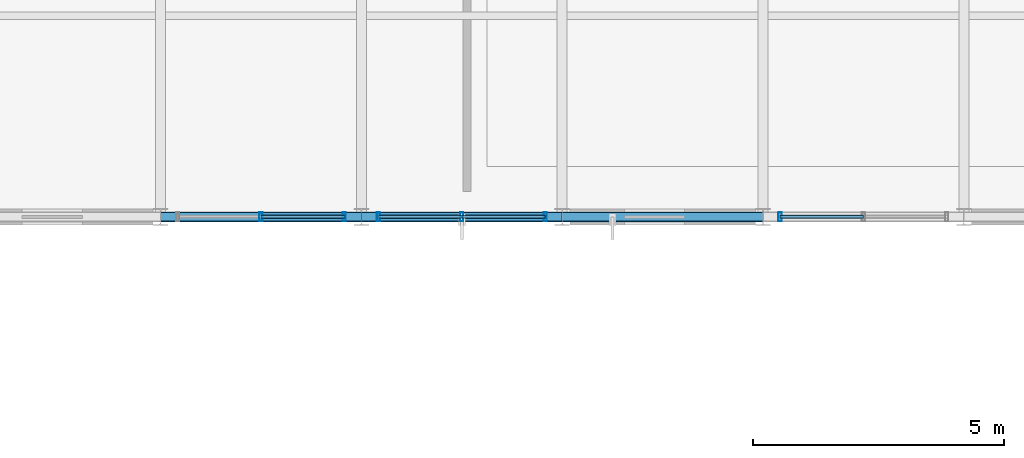
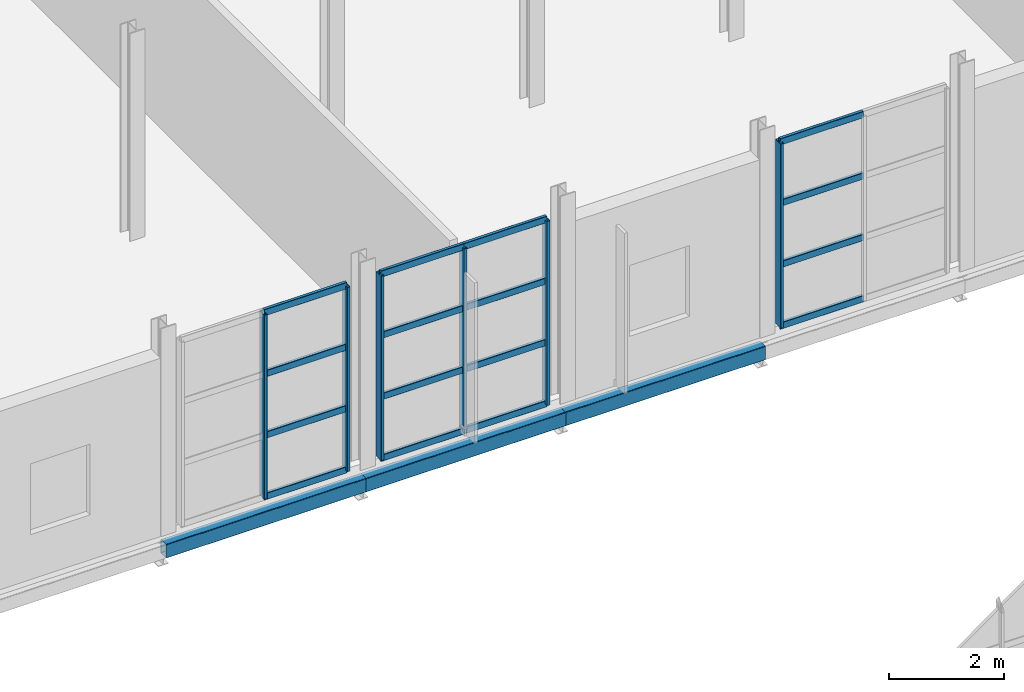
# One storey, part 113 of 153: 22 members, 3 beams, 3 elements without a shape of their own.
"""IFC4 building model written with IfcOpenShell, lengths in metres."""

from ifc_helpers import new_model, si_unit, derived_unit, direction, frame, origin, origin_2d, place, context, subcontext, project, spatial, hollow_rectangle, extrude, material, material_profile, profile_set, type_object, element, aggregate, save


model = new_model("IFC4")

# Units and contexts
model_context = context("Model", 3, precision=1e-05, world=origin(), true_north=direction((0.0, 1.0)))
body_context = subcontext(model_context, "Body", "Model", "MODEL_VIEW")
ifc_project = project(units=[si_unit("LENGTHUNIT", "METRE"), si_unit("AREAUNIT", "SQUARE_METRE"), si_unit("VOLUMEUNIT", "CUBIC_METRE"), si_unit("PLANEANGLEUNIT", "RADIAN"), si_unit("MASSUNIT", "GRAM", prefix="KILO"), derived_unit("THERMALTRANSMITTANCEUNIT", [(si_unit("POWERUNIT", "WATT"), 1), (si_unit("LENGTHUNIT", "METRE"), -2), (si_unit("THERMODYNAMICTEMPERATUREUNIT", "KELVIN"), -1)])], contexts=[model_context])

# Site, building, storey
site_placement = place(None, origin())
site = spatial("IfcSite", under=ifc_project, at=site_placement, CompositionType="ELEMENT")
building_placement = place(site_placement, origin())
building = spatial("IfcBuilding", under=site, at=building_placement, Name="Keldorne Ridge Multi-Sports Centre", CompositionType="ELEMENT")
storey_placement = place(building_placement, frame((0.0, 0.0, 9.60009765625)))
storey = spatial("IfcBuildingStorey", under=building, at=storey_placement, Name="L02", CompositionType="ELEMENT", Elevation=9.60009765625)

# Beams
ifc_material_1 = material(Name="Steel S355", Category="steel")
ifc_material_profile_1 = material_profile(ifc_material_1, hollow_rectangle(XDim=0.199951171875, YDim=0.300048828125, WallThickness=0.012451171875, InnerFilletRadius=0.012451171875, OuterFilletRadius=0.02490234375, at=origin_2d()), Name="RHS 300x200x12.5")
ifc_profile_set_1 = profile_set([ifc_material_profile_1], Name="Steel S355")
beam_type = type_object("IfcBeamType", Name="BM-SP-01", PredefinedType="SPANDREL", material=ifc_profile_set_1)
for number, where, z_axis, x_axis, name in (
    (1, (132.0, 66.0, -0.41015625), (1.0, 0.0, 0.0), (0.0, 1.0, 0.0), "L02 primary beam 6.66"),
    (2, (136.0, 66.0, -0.41015625), (1.0, 0.0, 0.0), (0.0, 1.0, 0.0), "L02 primary beam 7.66"),
    (3, (140.0, 66.0, -0.41015625), (1.0, 0.0, 0.0), (0.0, 1.0, 0.0), "L02 primary beam 8.66"),
):
    element("IfcBeam", number, at=place(storey_placement, frame(where, z_axis=z_axis, x_axis=x_axis)), inside=storey, type_object=beam_type, Name=name, PredefinedType="SPANDREL", context=body_context, shape_type="SweptSolid", body=[
        extrude(hollow_rectangle(XDim=0.199951171875, YDim=0.300048828125, WallThickness=0.012451171875, InnerFilletRadius=0.012451171875, OuterFilletRadius=0.02490234375, at=origin_2d()), origin(), (0.0, 0.0, 1.0), 4.0),
    ])

# Curtain wall, members
ifc_material_2 = material(Name="Anodized aluminium", Category="aluminium")
curtain_wall_type_1 = type_object("IfcCurtainWallType", Name="CW-CW-04", PredefinedType="NOTDEFINED", material=ifc_material_2)
curtain_wall_1_placement = place(storey_placement, origin())
curtain_wall_1 = element("IfcCurtainWall", 4, at=curtain_wall_1_placement, inside=storey, type_object=curtain_wall_type_1, Name="East Wing L02 south curtain wall 148", PredefinedType="NOTDEFINED")
ifc_material_profile_2 = material_profile(ifc_material_2, hollow_rectangle(XDim=0.06494140625, YDim=0.179931640625, WallThickness=0.00439453125, InnerFilletRadius=0.00439453125, OuterFilletRadius=0.009033203125, at=origin_2d()), Name="ALU MULLION 180x65x4.5")
ifc_profile_set_2 = profile_set([ifc_material_profile_2], Name="Anodized aluminium")
member_type_1 = type_object("IfcMemberType", Name="MEM-ML-01", PredefinedType="MULLION", material=ifc_profile_set_2)
member_1_placement = place(storey_placement, frame((134.0, 66.0, 0.0), z_axis=(0.0, 0.0, 1.0), x_axis=(1.0, 0.0, 0.0)))
member_1 = element("IfcMember", 5, at=member_1_placement, type_object=member_type_1, Name="CW-148 vertical mullion 2", PredefinedType="MULLION", context=body_context, shape_type="SweptSolid", body=[
    extrude(hollow_rectangle(XDim=0.06494140625, YDim=0.179931640625, WallThickness=0.00439453125, InnerFilletRadius=0.00439453125, OuterFilletRadius=0.009033203125, at=origin_2d()), origin(), (0.0, 0.0, 1.0), 3.89990234375),
])
member_2_placement = place(storey_placement, frame((135.659912109375, 66.0, 0.0), z_axis=(0.0, 0.0, 1.0), x_axis=(1.0, 0.0, 0.0)))
member_2 = element("IfcMember", 6, at=member_2_placement, type_object=member_type_1, Name="CW-148 vertical mullion 3", PredefinedType="MULLION", context=body_context, shape_type="SweptSolid", body=[
    extrude(hollow_rectangle(XDim=0.06494140625, YDim=0.179931640625, WallThickness=0.00439453125, InnerFilletRadius=0.00439453125, OuterFilletRadius=0.009033203125, at=origin_2d()), origin(), (0.0, 0.0, 1.0), 3.89990234375),
])

curtain_wall_type_2 = type_object("IfcCurtainWallType", Name="CW-CW-05", PredefinedType="NOTDEFINED", material=ifc_material_2)
curtain_wall_2_placement = place(storey_placement, origin())
curtain_wall_2 = element("IfcCurtainWall", 7, at=curtain_wall_2_placement, inside=storey, type_object=curtain_wall_type_2, Name="East Wing L02 south curtain wall 149", PredefinedType="NOTDEFINED")
member_3_placement = place(storey_placement, frame((136.340087890625, 66.0, 0.0), z_axis=(0.0, 0.0, 1.0), x_axis=(1.0, 0.0, 0.0)))
member_3 = element("IfcMember", 8, at=member_3_placement, type_object=member_type_1, Name="CW-149 vertical mullion 1", PredefinedType="MULLION", context=body_context, shape_type="SweptSolid", body=[
    extrude(hollow_rectangle(XDim=0.06494140625, YDim=0.179931640625, WallThickness=0.00439453125, InnerFilletRadius=0.00439453125, OuterFilletRadius=0.009033203125, at=origin_2d()), origin(), (0.0, 0.0, 1.0), 3.89990234375),
])
member_4_placement = place(storey_placement, frame((138.0, 66.0, 0.0), z_axis=(0.0, 0.0, 1.0), x_axis=(1.0, 0.0, 0.0)))
member_4 = element("IfcMember", 9, at=member_4_placement, type_object=member_type_1, Name="CW-149 vertical mullion 2", PredefinedType="MULLION", context=body_context, shape_type="SweptSolid", body=[
    extrude(hollow_rectangle(XDim=0.06494140625, YDim=0.179931640625, WallThickness=0.00439453125, InnerFilletRadius=0.00439453125, OuterFilletRadius=0.009033203125, at=origin_2d()), origin(), (0.0, 0.0, 1.0), 3.89990234375),
])
member_5_placement = place(storey_placement, frame((139.659912109375, 66.0, 0.0), z_axis=(0.0, 0.0, 1.0), x_axis=(1.0, 0.0, 0.0)))
member_5 = element("IfcMember", 10, at=member_5_placement, type_object=member_type_1, Name="CW-149 vertical mullion 3", PredefinedType="MULLION", context=body_context, shape_type="SweptSolid", body=[
    extrude(hollow_rectangle(XDim=0.06494140625, YDim=0.179931640625, WallThickness=0.00439453125, InnerFilletRadius=0.00439453125, OuterFilletRadius=0.009033203125, at=origin_2d()), origin(), (0.0, 0.0, 1.0), 3.89990234375),
])

# Curtain wall, member
curtain_wall_type_3 = type_object("IfcCurtainWallType", Name="CW-CW-06", PredefinedType="NOTDEFINED", material=ifc_material_2)
curtain_wall_3_placement = place(storey_placement, origin())
curtain_wall_3 = element("IfcCurtainWall", 11, at=curtain_wall_3_placement, inside=storey, type_object=curtain_wall_type_3, Name="East Wing L02 south curtain wall 150", PredefinedType="NOTDEFINED")
member_6_placement = place(storey_placement, frame((144.340087890625, 66.0, 0.0), z_axis=(0.0, 0.0, 1.0), x_axis=(1.0, 0.0, 0.0)))
member_6 = element("IfcMember", 12, at=member_6_placement, type_object=member_type_1, Name="CW-150 vertical mullion 1", PredefinedType="MULLION", context=body_context, shape_type="SweptSolid", body=[
    extrude(hollow_rectangle(XDim=0.06494140625, YDim=0.179931640625, WallThickness=0.00439453125, InnerFilletRadius=0.00439453125, OuterFilletRadius=0.009033203125, at=origin_2d()), origin(), (0.0, 0.0, 1.0), 3.89990234375),
])

# Member
ifc_material_profile_3 = material_profile(ifc_material_2, hollow_rectangle(XDim=0.06494140625, YDim=0.139892578125, WallThickness=0.00439453125, InnerFilletRadius=0.00439453125, OuterFilletRadius=0.009033203125, at=origin_2d()), Name="ALU TRANSOM 140x65x4.5")
ifc_profile_set_3 = profile_set([ifc_material_profile_3], Name="Anodized aluminium")
member_type_2 = type_object("IfcMemberType", Name="MEM-TR-01", PredefinedType="USERDEFINED", material=ifc_profile_set_3)
member_7_placement = place(storey_placement, frame((134.0, 66.0, 0.0), z_axis=(1.0, 0.0, 0.0), x_axis=(0.0, 1.0, 0.0)))
member_7 = element("IfcMember", 13, at=member_7_placement, type_object=member_type_2, Name="CW-148 transom 2.1", ObjectType="TRANSOM", PredefinedType="USERDEFINED", context=body_context, shape_type="SweptSolid", body=[
    extrude(hollow_rectangle(XDim=0.06494140625, YDim=0.139892578125, WallThickness=0.00439453125, InnerFilletRadius=0.00439453125, OuterFilletRadius=0.009033203125, at=origin_2d()), origin(), (0.0, 0.0, 1.0), 1.659912109375),
])

member_8_placement = place(storey_placement, frame((134.0, 66.0, 1.2998046875), z_axis=(1.0, 0.0, 0.0), x_axis=(0.0, 1.0, 0.0)))
member_8 = element("IfcMember", 14, at=member_8_placement, type_object=member_type_2, Name="CW-148 transom 2.2", ObjectType="TRANSOM", PredefinedType="USERDEFINED", context=body_context, shape_type="SweptSolid", body=[
    extrude(hollow_rectangle(XDim=0.06494140625, YDim=0.139892578125, WallThickness=0.00439453125, InnerFilletRadius=0.00439453125, OuterFilletRadius=0.009033203125, at=origin_2d()), origin(), (0.0, 0.0, 1.0), 1.659912109375),
])

member_9_placement = place(storey_placement, frame((134.0, 66.0, 2.599853515625), z_axis=(1.0, 0.0, 0.0), x_axis=(0.0, 1.0, 0.0)))
member_9 = element("IfcMember", 15, at=member_9_placement, type_object=member_type_2, Name="CW-148 transom 2.3", ObjectType="TRANSOM", PredefinedType="USERDEFINED", context=body_context, shape_type="SweptSolid", body=[
    extrude(hollow_rectangle(XDim=0.06494140625, YDim=0.139892578125, WallThickness=0.00439453125, InnerFilletRadius=0.00439453125, OuterFilletRadius=0.009033203125, at=origin_2d()), origin(), (0.0, 0.0, 1.0), 1.659912109375),
])

member_10_placement = place(storey_placement, frame((134.0, 66.0, 3.89990234375), z_axis=(1.0, 0.0, 0.0), x_axis=(0.0, 1.0, 0.0)))
member_10 = element("IfcMember", 16, at=member_10_placement, type_object=member_type_2, Name="CW-148 transom 2.4", ObjectType="TRANSOM", PredefinedType="USERDEFINED", context=body_context, shape_type="SweptSolid", body=[
    extrude(hollow_rectangle(XDim=0.06494140625, YDim=0.139892578125, WallThickness=0.00439453125, InnerFilletRadius=0.00439453125, OuterFilletRadius=0.009033203125, at=origin_2d()), origin(), (0.0, 0.0, 1.0), 1.659912109375),
])

aggregate(curtain_wall_1, [member_1, member_2, member_7, member_8, member_9, member_10])

member_11_placement = place(storey_placement, frame((136.340087890625, 66.0, 0.0), z_axis=(1.0, 0.0, 0.0), x_axis=(0.0, 1.0, 0.0)))
member_11 = element("IfcMember", 17, at=member_11_placement, type_object=member_type_2, Name="CW-149 transom 1.1", ObjectType="TRANSOM", PredefinedType="USERDEFINED", context=body_context, shape_type="SweptSolid", body=[
    extrude(hollow_rectangle(XDim=0.06494140625, YDim=0.139892578125, WallThickness=0.00439453125, InnerFilletRadius=0.00439453125, OuterFilletRadius=0.009033203125, at=origin_2d()), origin(), (0.0, 0.0, 1.0), 1.659912109375),
])

member_12_placement = place(storey_placement, frame((136.340087890625, 66.0, 1.2998046875), z_axis=(1.0, 0.0, 0.0), x_axis=(0.0, 1.0, 0.0)))
member_12 = element("IfcMember", 18, at=member_12_placement, type_object=member_type_2, Name="CW-149 transom 1.2", ObjectType="TRANSOM", PredefinedType="USERDEFINED", context=body_context, shape_type="SweptSolid", body=[
    extrude(hollow_rectangle(XDim=0.06494140625, YDim=0.139892578125, WallThickness=0.00439453125, InnerFilletRadius=0.00439453125, OuterFilletRadius=0.009033203125, at=origin_2d()), origin(), (0.0, 0.0, 1.0), 1.659912109375),
])

member_13_placement = place(storey_placement, frame((136.340087890625, 66.0, 2.599853515625), z_axis=(1.0, 0.0, 0.0), x_axis=(0.0, 1.0, 0.0)))
member_13 = element("IfcMember", 19, at=member_13_placement, type_object=member_type_2, Name="CW-149 transom 1.3", ObjectType="TRANSOM", PredefinedType="USERDEFINED", context=body_context, shape_type="SweptSolid", body=[
    extrude(hollow_rectangle(XDim=0.06494140625, YDim=0.139892578125, WallThickness=0.00439453125, InnerFilletRadius=0.00439453125, OuterFilletRadius=0.009033203125, at=origin_2d()), origin(), (0.0, 0.0, 1.0), 1.659912109375),
])

member_14_placement = place(storey_placement, frame((136.340087890625, 66.0, 3.89990234375), z_axis=(1.0, 0.0, 0.0), x_axis=(0.0, 1.0, 0.0)))
member_14 = element("IfcMember", 20, at=member_14_placement, type_object=member_type_2, Name="CW-149 transom 1.4", ObjectType="TRANSOM", PredefinedType="USERDEFINED", context=body_context, shape_type="SweptSolid", body=[
    extrude(hollow_rectangle(XDim=0.06494140625, YDim=0.139892578125, WallThickness=0.00439453125, InnerFilletRadius=0.00439453125, OuterFilletRadius=0.009033203125, at=origin_2d()), origin(), (0.0, 0.0, 1.0), 1.659912109375),
])

member_15_placement = place(storey_placement, frame((138.0, 66.0, 0.0), z_axis=(1.0, 0.0, 0.0), x_axis=(0.0, 1.0, 0.0)))
member_15 = element("IfcMember", 21, at=member_15_placement, type_object=member_type_2, Name="CW-149 transom 2.1", ObjectType="TRANSOM", PredefinedType="USERDEFINED", context=body_context, shape_type="SweptSolid", body=[
    extrude(hollow_rectangle(XDim=0.06494140625, YDim=0.139892578125, WallThickness=0.00439453125, InnerFilletRadius=0.00439453125, OuterFilletRadius=0.009033203125, at=origin_2d()), origin(), (0.0, 0.0, 1.0), 1.659912109375),
])

member_16_placement = place(storey_placement, frame((138.0, 66.0, 1.2998046875), z_axis=(1.0, 0.0, 0.0), x_axis=(0.0, 1.0, 0.0)))
member_16 = element("IfcMember", 22, at=member_16_placement, type_object=member_type_2, Name="CW-149 transom 2.2", ObjectType="TRANSOM", PredefinedType="USERDEFINED", context=body_context, shape_type="SweptSolid", body=[
    extrude(hollow_rectangle(XDim=0.06494140625, YDim=0.139892578125, WallThickness=0.00439453125, InnerFilletRadius=0.00439453125, OuterFilletRadius=0.009033203125, at=origin_2d()), origin(), (0.0, 0.0, 1.0), 1.659912109375),
])

member_17_placement = place(storey_placement, frame((138.0, 66.0, 2.599853515625), z_axis=(1.0, 0.0, 0.0), x_axis=(0.0, 1.0, 0.0)))
member_17 = element("IfcMember", 23, at=member_17_placement, type_object=member_type_2, Name="CW-149 transom 2.3", ObjectType="TRANSOM", PredefinedType="USERDEFINED", context=body_context, shape_type="SweptSolid", body=[
    extrude(hollow_rectangle(XDim=0.06494140625, YDim=0.139892578125, WallThickness=0.00439453125, InnerFilletRadius=0.00439453125, OuterFilletRadius=0.009033203125, at=origin_2d()), origin(), (0.0, 0.0, 1.0), 1.659912109375),
])

member_18_placement = place(storey_placement, frame((138.0, 66.0, 3.89990234375), z_axis=(1.0, 0.0, 0.0), x_axis=(0.0, 1.0, 0.0)))
member_18 = element("IfcMember", 24, at=member_18_placement, type_object=member_type_2, Name="CW-149 transom 2.4", ObjectType="TRANSOM", PredefinedType="USERDEFINED", context=body_context, shape_type="SweptSolid", body=[
    extrude(hollow_rectangle(XDim=0.06494140625, YDim=0.139892578125, WallThickness=0.00439453125, InnerFilletRadius=0.00439453125, OuterFilletRadius=0.009033203125, at=origin_2d()), origin(), (0.0, 0.0, 1.0), 1.659912109375),
])

aggregate(curtain_wall_2, [member_3, member_4, member_5, member_11, member_12, member_13, member_14, member_15, member_16, member_17, member_18])

member_19_placement = place(storey_placement, frame((144.340087890625, 66.0, 0.0), z_axis=(1.0, 0.0, 0.0), x_axis=(0.0, 1.0, 0.0)))
member_19 = element("IfcMember", 25, at=member_19_placement, type_object=member_type_2, Name="CW-150 transom 1.1", ObjectType="TRANSOM", PredefinedType="USERDEFINED", context=body_context, shape_type="SweptSolid", body=[
    extrude(hollow_rectangle(XDim=0.06494140625, YDim=0.139892578125, WallThickness=0.00439453125, InnerFilletRadius=0.00439453125, OuterFilletRadius=0.009033203125, at=origin_2d()), origin(), (0.0, 0.0, 1.0), 1.659912109375),
])

member_20_placement = place(storey_placement, frame((144.340087890625, 66.0, 1.2998046875), z_axis=(1.0, 0.0, 0.0), x_axis=(0.0, 1.0, 0.0)))
member_20 = element("IfcMember", 26, at=member_20_placement, type_object=member_type_2, Name="CW-150 transom 1.2", ObjectType="TRANSOM", PredefinedType="USERDEFINED", context=body_context, shape_type="SweptSolid", body=[
    extrude(hollow_rectangle(XDim=0.06494140625, YDim=0.139892578125, WallThickness=0.00439453125, InnerFilletRadius=0.00439453125, OuterFilletRadius=0.009033203125, at=origin_2d()), origin(), (0.0, 0.0, 1.0), 1.659912109375),
])

member_21_placement = place(storey_placement, frame((144.340087890625, 66.0, 2.599853515625), z_axis=(1.0, 0.0, 0.0), x_axis=(0.0, 1.0, 0.0)))
member_21 = element("IfcMember", 27, at=member_21_placement, type_object=member_type_2, Name="CW-150 transom 1.3", ObjectType="TRANSOM", PredefinedType="USERDEFINED", context=body_context, shape_type="SweptSolid", body=[
    extrude(hollow_rectangle(XDim=0.06494140625, YDim=0.139892578125, WallThickness=0.00439453125, InnerFilletRadius=0.00439453125, OuterFilletRadius=0.009033203125, at=origin_2d()), origin(), (0.0, 0.0, 1.0), 1.659912109375),
])

member_22_placement = place(storey_placement, frame((144.340087890625, 66.0, 3.89990234375), z_axis=(1.0, 0.0, 0.0), x_axis=(0.0, 1.0, 0.0)))
member_22 = element("IfcMember", 28, at=member_22_placement, type_object=member_type_2, Name="CW-150 transom 1.4", ObjectType="TRANSOM", PredefinedType="USERDEFINED", context=body_context, shape_type="SweptSolid", body=[
    extrude(hollow_rectangle(XDim=0.06494140625, YDim=0.139892578125, WallThickness=0.00439453125, InnerFilletRadius=0.00439453125, OuterFilletRadius=0.009033203125, at=origin_2d()), origin(), (0.0, 0.0, 1.0), 1.659912109375),
])

aggregate(curtain_wall_3, [member_6, member_19, member_20, member_21, member_22])

save(model, "model.ifc")
